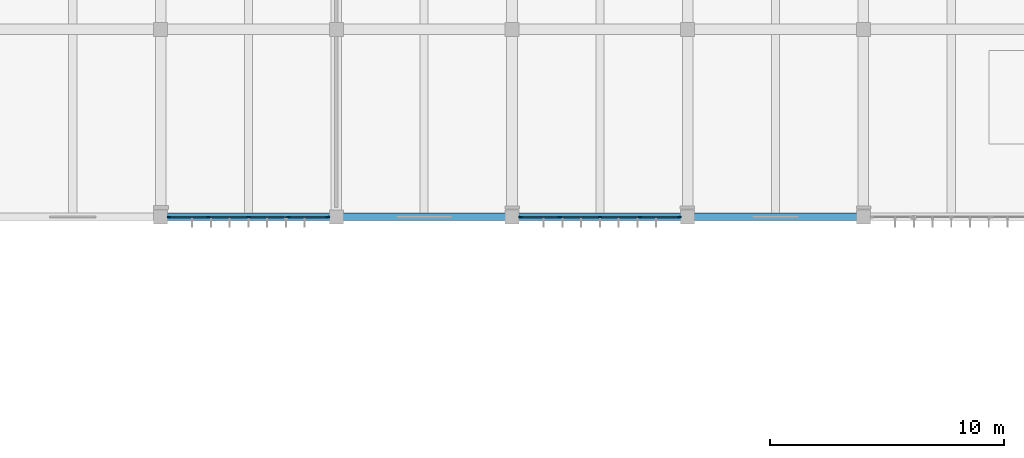
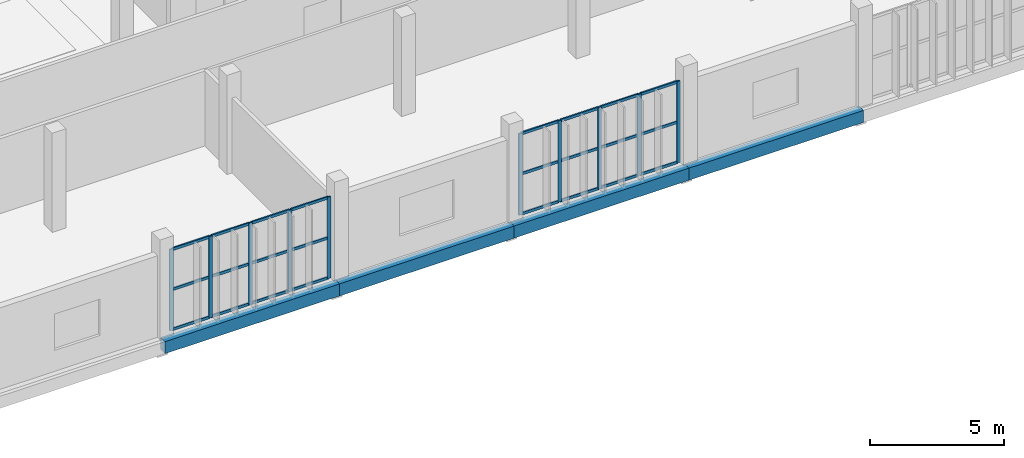
# One storey, part 19 of 81: 34 members, 4 beams, 2 elements without a shape of their own.
"""IFC4 building model written with IfcOpenShell, lengths in metres."""

from ifc_helpers import new_model, si_unit, direction, frame, origin, origin_2d, place, context, subcontext, project, spatial, rectangle, extrude, material, material_profile, profile_set, type_object, element, aggregate, save


model = new_model("IFC4")

# Units and contexts
model_context = context("Model", 3, precision=1e-05, world=origin(), true_north=direction((0.0, 1.0)))
body_context = subcontext(model_context, "Body", "Model", "MODEL_VIEW")
ifc_project = project(units=[si_unit("LENGTHUNIT", "METRE"), si_unit("AREAUNIT", "SQUARE_METRE"), si_unit("VOLUMEUNIT", "CUBIC_METRE"), si_unit("PLANEANGLEUNIT", "RADIAN"), si_unit("MASSUNIT", "GRAM", prefix="KILO")], contexts=[model_context])

# Site, building, storey
site_placement = place(None, origin())
site = spatial("IfcSite", under=ifc_project, at=site_placement, CompositionType="ELEMENT")
building_placement = place(site_placement, origin())
building = spatial("IfcBuilding", under=site, at=building_placement, Name="Vourika Railside Aquatics Centre", CompositionType="ELEMENT")
storey_placement = place(building_placement, frame((0.0, 0.0, 4.800048828125)))
storey = spatial("IfcBuildingStorey", under=building, at=storey_placement, Name="L01", CompositionType="ELEMENT", Elevation=4.800048828125)

# Beams
ifc_material_1 = material(Name="Concrete C35/45", Category="concrete")
ifc_material_profile_1 = material_profile(ifc_material_1, rectangle(XDim=0.320068359375, YDim=0.550048828125, at=origin_2d()), Name="RC 320x550")
ifc_profile_set_1 = profile_set([ifc_material_profile_1], Name="Concrete C35/45")
beam_type = type_object("IfcBeamType", Name="BM-SPAN-320x550", PredefinedType="SPANDREL", material=ifc_profile_set_1)
for number, where, z_axis, x_axis, name in (
    (1, (66.0, 92.0, -0.574951171875), (1.0, 0.0, 0.0), (0.0, 1.0, 0.0), "Floor Beam GX-L01-111"),
    (2, (73.5, 92.0, -0.574951171875), (1.0, 0.0, 0.0), (0.0, 1.0, 0.0), "Floor Beam GX-L01-112"),
    (3, (81.0, 92.0, -0.574951171875), (1.0, 0.0, 0.0), (0.0, 1.0, 0.0), "Floor Beam GX-L01-113"),
    (4, (88.5, 92.0, -0.574951171875), (1.0, 0.0, 0.0), (0.0, 1.0, 0.0), "Floor Beam GX-L01-114"),
):
    element("IfcBeam", number, at=place(storey_placement, frame(where, z_axis=z_axis, x_axis=x_axis)), inside=storey, type_object=beam_type, Name=name, PredefinedType="SPANDREL", context=body_context, shape_type="SweptSolid", body=[
        extrude(rectangle(XDim=0.320068359375, YDim=0.550048828125, at=origin_2d()), origin(), (0.0, 0.0, 1.0), 7.5),
    ])

# Curtain wall, members
ifc_material_2 = material(Name="Anodized thermally broken aluminium", Category="aluminium")
curtain_wall_type = type_object("IfcCurtainWallType", Name="CW-FIT1", PredefinedType="NOTDEFINED", material=ifc_material_2)
curtain_wall_1_placement = place(storey_placement, origin())
curtain_wall_1 = element("IfcCurtainWall", 5, at=curtain_wall_1_placement, inside=storey, type_object=curtain_wall_type, Name="Courtyard Fitness Curtain Wall L01-5", PredefinedType="NOTDEFINED")
ifc_material_3 = material(Name="Anodized aluminium mullion", Category="aluminium")
ifc_material_profile_2 = material_profile(ifc_material_3, rectangle(XDim=0.06201171875, YDim=0.156005859375, at=origin_2d()), Name="ALU-M 62x156")
ifc_profile_set_2 = profile_set([ifc_material_profile_2], Name="Anodized aluminium mullion")
member_type_1 = type_object("IfcMemberType", Name="CWM-FIT1", PredefinedType="MULLION", material=ifc_profile_set_2)
member_1_placement = place(storey_placement, frame((66.361083984375, 92.0, 0.0), z_axis=(0.0, 0.0, 1.0), x_axis=(0.0, 1.0, 0.0)))
member_1 = element("IfcMember", 6, at=member_1_placement, type_object=member_type_1, Name="CW15 mullion 1", PredefinedType="MULLION", context=body_context, shape_type="SweptSolid", body=[
    extrude(rectangle(XDim=0.06201171875, YDim=0.156005859375, at=origin_2d()), origin(), (0.0, 0.0, 1.0), 3.699951171875),
])
member_2_placement = place(storey_placement, frame((68.0400390625, 92.0, 0.0), z_axis=(0.0, 0.0, 1.0), x_axis=(0.0, 1.0, 0.0)))
member_2 = element("IfcMember", 7, at=member_2_placement, type_object=member_type_1, Name="CW15 mullion 2", PredefinedType="MULLION", context=body_context, shape_type="SweptSolid", body=[
    extrude(rectangle(XDim=0.06201171875, YDim=0.156005859375, at=origin_2d()), origin(), (0.0, 0.0, 1.0), 3.699951171875),
])
member_3_placement = place(storey_placement, frame((69.75, 92.0, 0.0), z_axis=(0.0, 0.0, 1.0), x_axis=(0.0, 1.0, 0.0)))
member_3 = element("IfcMember", 8, at=member_3_placement, type_object=member_type_1, Name="CW15 mullion 3", PredefinedType="MULLION", context=body_context, shape_type="SweptSolid", body=[
    extrude(rectangle(XDim=0.06201171875, YDim=0.156005859375, at=origin_2d()), origin(), (0.0, 0.0, 1.0), 3.699951171875),
])
member_4_placement = place(storey_placement, frame((71.4599609375, 92.0, 0.0), z_axis=(0.0, 0.0, 1.0), x_axis=(0.0, 1.0, 0.0)))
member_4 = element("IfcMember", 9, at=member_4_placement, type_object=member_type_1, Name="CW15 mullion 4", PredefinedType="MULLION", context=body_context, shape_type="SweptSolid", body=[
    extrude(rectangle(XDim=0.06201171875, YDim=0.156005859375, at=origin_2d()), origin(), (0.0, 0.0, 1.0), 3.699951171875),
])
member_5_placement = place(storey_placement, frame((73.138916015625, 92.0, 0.0), z_axis=(0.0, 0.0, 1.0), x_axis=(0.0, 1.0, 0.0)))
member_5 = element("IfcMember", 10, at=member_5_placement, type_object=member_type_1, Name="CW15 mullion 5", PredefinedType="MULLION", context=body_context, shape_type="SweptSolid", body=[
    extrude(rectangle(XDim=0.06201171875, YDim=0.156005859375, at=origin_2d()), origin(), (0.0, 0.0, 1.0), 3.699951171875),
])

curtain_wall_2_placement = place(storey_placement, origin())
curtain_wall_2 = element("IfcCurtainWall", 11, at=curtain_wall_2_placement, inside=storey, type_object=curtain_wall_type, Name="Courtyard Fitness Curtain Wall L01-7", PredefinedType="NOTDEFINED")
member_6_placement = place(storey_placement, frame((81.361083984375, 92.0, 0.0), z_axis=(0.0, 0.0, 1.0), x_axis=(0.0, 1.0, 0.0)))
member_6 = element("IfcMember", 12, at=member_6_placement, type_object=member_type_1, Name="CW15 mullion 1", PredefinedType="MULLION", context=body_context, shape_type="SweptSolid", body=[
    extrude(rectangle(XDim=0.06201171875, YDim=0.156005859375, at=origin_2d()), origin(), (0.0, 0.0, 1.0), 3.699951171875),
])
member_7_placement = place(storey_placement, frame((83.0400390625, 92.0, 0.0), z_axis=(0.0, 0.0, 1.0), x_axis=(0.0, 1.0, 0.0)))
member_7 = element("IfcMember", 13, at=member_7_placement, type_object=member_type_1, Name="CW15 mullion 2", PredefinedType="MULLION", context=body_context, shape_type="SweptSolid", body=[
    extrude(rectangle(XDim=0.06201171875, YDim=0.156005859375, at=origin_2d()), origin(), (0.0, 0.0, 1.0), 3.699951171875),
])
member_8_placement = place(storey_placement, frame((84.75, 92.0, 0.0), z_axis=(0.0, 0.0, 1.0), x_axis=(0.0, 1.0, 0.0)))
member_8 = element("IfcMember", 14, at=member_8_placement, type_object=member_type_1, Name="CW15 mullion 3", PredefinedType="MULLION", context=body_context, shape_type="SweptSolid", body=[
    extrude(rectangle(XDim=0.06201171875, YDim=0.156005859375, at=origin_2d()), origin(), (0.0, 0.0, 1.0), 3.699951171875),
])
member_9_placement = place(storey_placement, frame((86.4599609375, 92.0, 0.0), z_axis=(0.0, 0.0, 1.0), x_axis=(0.0, 1.0, 0.0)))
member_9 = element("IfcMember", 15, at=member_9_placement, type_object=member_type_1, Name="CW15 mullion 4", PredefinedType="MULLION", context=body_context, shape_type="SweptSolid", body=[
    extrude(rectangle(XDim=0.06201171875, YDim=0.156005859375, at=origin_2d()), origin(), (0.0, 0.0, 1.0), 3.699951171875),
])
member_10_placement = place(storey_placement, frame((88.138916015625, 92.0, 0.0), z_axis=(0.0, 0.0, 1.0), x_axis=(0.0, 1.0, 0.0)))
member_10 = element("IfcMember", 16, at=member_10_placement, type_object=member_type_1, Name="CW15 mullion 5", PredefinedType="MULLION", context=body_context, shape_type="SweptSolid", body=[
    extrude(rectangle(XDim=0.06201171875, YDim=0.156005859375, at=origin_2d()), origin(), (0.0, 0.0, 1.0), 3.699951171875),
])

# Member
ifc_material_4 = material(Name="Anodized aluminium transom", Category="aluminium")
ifc_material_profile_3 = material_profile(ifc_material_4, rectangle(XDim=0.06201171875, YDim=0.1220703125, at=origin_2d()), Name="ALU-T 62x122")
ifc_profile_set_3 = profile_set([ifc_material_profile_3], Name="Anodized aluminium transom")
member_type_2 = type_object("IfcMemberType", Name="CWT-FIT1", PredefinedType="USERDEFINED", material=ifc_profile_set_3)
member_11_placement = place(storey_placement, frame((66.39208984375, 92.0, 0.031005859375), z_axis=(1.0, 0.0, 0.0), x_axis=(0.0, 1.0, 0.0)))
member_11 = element("IfcMember", 17, at=member_11_placement, type_object=member_type_2, Name="CW15 transom 1.1", ObjectType="TRANSOM", PredefinedType="USERDEFINED", context=body_context, shape_type="SweptSolid", body=[
    extrude(rectangle(XDim=0.06201171875, YDim=0.1220703125, at=origin_2d()), origin(), (0.0, 0.0, 1.0), 1.616943359375),
])

member_12_placement = place(storey_placement, frame((66.39208984375, 92.0, 1.849853515625), z_axis=(1.0, 0.0, 0.0), x_axis=(0.0, 1.0, 0.0)))
member_12 = element("IfcMember", 18, at=member_12_placement, type_object=member_type_2, Name="CW15 transom 1.2", ObjectType="TRANSOM", PredefinedType="USERDEFINED", context=body_context, shape_type="SweptSolid", body=[
    extrude(rectangle(XDim=0.06201171875, YDim=0.1220703125, at=origin_2d()), origin(), (0.0, 0.0, 1.0), 1.616943359375),
])

member_13_placement = place(storey_placement, frame((66.39208984375, 92.0, 3.6689453125), z_axis=(1.0, 0.0, 0.0), x_axis=(0.0, 1.0, 0.0)))
member_13 = element("IfcMember", 19, at=member_13_placement, type_object=member_type_2, Name="CW15 transom 1.3", ObjectType="TRANSOM", PredefinedType="USERDEFINED", context=body_context, shape_type="SweptSolid", body=[
    extrude(rectangle(XDim=0.06201171875, YDim=0.1220703125, at=origin_2d()), origin(), (0.0, 0.0, 1.0), 1.616943359375),
])

member_14_placement = place(storey_placement, frame((68.071044921875, 92.0, 0.031005859375), z_axis=(1.0, 0.0, 0.0), x_axis=(0.0, 1.0, 0.0)))
member_14 = element("IfcMember", 20, at=member_14_placement, type_object=member_type_2, Name="CW15 transom 2.1", ObjectType="TRANSOM", PredefinedType="USERDEFINED", context=body_context, shape_type="SweptSolid", body=[
    extrude(rectangle(XDim=0.06201171875, YDim=0.1220703125, at=origin_2d()), origin(), (0.0, 0.0, 1.0), 1.64794921875),
])

member_15_placement = place(storey_placement, frame((68.071044921875, 92.0, 1.849853515625), z_axis=(1.0, 0.0, 0.0), x_axis=(0.0, 1.0, 0.0)))
member_15 = element("IfcMember", 21, at=member_15_placement, type_object=member_type_2, Name="CW15 transom 2.2", ObjectType="TRANSOM", PredefinedType="USERDEFINED", context=body_context, shape_type="SweptSolid", body=[
    extrude(rectangle(XDim=0.06201171875, YDim=0.1220703125, at=origin_2d()), origin(), (0.0, 0.0, 1.0), 1.64794921875),
])

member_16_placement = place(storey_placement, frame((68.071044921875, 92.0, 3.6689453125), z_axis=(1.0, 0.0, 0.0), x_axis=(0.0, 1.0, 0.0)))
member_16 = element("IfcMember", 22, at=member_16_placement, type_object=member_type_2, Name="CW15 transom 2.3", ObjectType="TRANSOM", PredefinedType="USERDEFINED", context=body_context, shape_type="SweptSolid", body=[
    extrude(rectangle(XDim=0.06201171875, YDim=0.1220703125, at=origin_2d()), origin(), (0.0, 0.0, 1.0), 1.64794921875),
])

member_17_placement = place(storey_placement, frame((69.781005859375, 92.0, 0.031005859375), z_axis=(1.0, 0.0, 0.0), x_axis=(0.0, 1.0, 0.0)))
member_17 = element("IfcMember", 23, at=member_17_placement, type_object=member_type_2, Name="CW15 transom 3.1", ObjectType="TRANSOM", PredefinedType="USERDEFINED", context=body_context, shape_type="SweptSolid", body=[
    extrude(rectangle(XDim=0.06201171875, YDim=0.1220703125, at=origin_2d()), origin(), (0.0, 0.0, 1.0), 1.64794921875),
])

member_18_placement = place(storey_placement, frame((69.781005859375, 92.0, 1.849853515625), z_axis=(1.0, 0.0, 0.0), x_axis=(0.0, 1.0, 0.0)))
member_18 = element("IfcMember", 24, at=member_18_placement, type_object=member_type_2, Name="CW15 transom 3.2", ObjectType="TRANSOM", PredefinedType="USERDEFINED", context=body_context, shape_type="SweptSolid", body=[
    extrude(rectangle(XDim=0.06201171875, YDim=0.1220703125, at=origin_2d()), origin(), (0.0, 0.0, 1.0), 1.64794921875),
])

member_19_placement = place(storey_placement, frame((69.781005859375, 92.0, 3.6689453125), z_axis=(1.0, 0.0, 0.0), x_axis=(0.0, 1.0, 0.0)))
member_19 = element("IfcMember", 25, at=member_19_placement, type_object=member_type_2, Name="CW15 transom 3.3", ObjectType="TRANSOM", PredefinedType="USERDEFINED", context=body_context, shape_type="SweptSolid", body=[
    extrude(rectangle(XDim=0.06201171875, YDim=0.1220703125, at=origin_2d()), origin(), (0.0, 0.0, 1.0), 1.64794921875),
])

member_20_placement = place(storey_placement, frame((71.490966796875, 92.0, 0.031005859375), z_axis=(1.0, 0.0, 0.0), x_axis=(0.0, 1.0, 0.0)))
member_20 = element("IfcMember", 26, at=member_20_placement, type_object=member_type_2, Name="CW15 transom 4.1", ObjectType="TRANSOM", PredefinedType="USERDEFINED", context=body_context, shape_type="SweptSolid", body=[
    extrude(rectangle(XDim=0.06201171875, YDim=0.1220703125, at=origin_2d()), origin(), (0.0, 0.0, 1.0), 1.616943359375),
])

member_21_placement = place(storey_placement, frame((71.490966796875, 92.0, 1.849853515625), z_axis=(1.0, 0.0, 0.0), x_axis=(0.0, 1.0, 0.0)))
member_21 = element("IfcMember", 27, at=member_21_placement, type_object=member_type_2, Name="CW15 transom 4.2", ObjectType="TRANSOM", PredefinedType="USERDEFINED", context=body_context, shape_type="SweptSolid", body=[
    extrude(rectangle(XDim=0.06201171875, YDim=0.1220703125, at=origin_2d()), origin(), (0.0, 0.0, 1.0), 1.616943359375),
])

member_22_placement = place(storey_placement, frame((71.490966796875, 92.0, 3.6689453125), z_axis=(1.0, 0.0, 0.0), x_axis=(0.0, 1.0, 0.0)))
member_22 = element("IfcMember", 28, at=member_22_placement, type_object=member_type_2, Name="CW15 transom 4.3", ObjectType="TRANSOM", PredefinedType="USERDEFINED", context=body_context, shape_type="SweptSolid", body=[
    extrude(rectangle(XDim=0.06201171875, YDim=0.1220703125, at=origin_2d()), origin(), (0.0, 0.0, 1.0), 1.616943359375),
])

aggregate(curtain_wall_1, [member_1, member_2, member_3, member_4, member_5, member_11, member_12, member_13, member_14, member_15, member_16, member_17, member_18, member_19, member_20, member_21, member_22])

member_23_placement = place(storey_placement, frame((81.39208984375, 92.0, 0.031005859375), z_axis=(1.0, 0.0, 0.0), x_axis=(0.0, 1.0, 0.0)))
member_23 = element("IfcMember", 29, at=member_23_placement, type_object=member_type_2, Name="CW15 transom 1.1", ObjectType="TRANSOM", PredefinedType="USERDEFINED", context=body_context, shape_type="SweptSolid", body=[
    extrude(rectangle(XDim=0.06201171875, YDim=0.1220703125, at=origin_2d()), origin(), (0.0, 0.0, 1.0), 1.616943359375),
])

member_24_placement = place(storey_placement, frame((81.39208984375, 92.0, 1.849853515625), z_axis=(1.0, 0.0, 0.0), x_axis=(0.0, 1.0, 0.0)))
member_24 = element("IfcMember", 30, at=member_24_placement, type_object=member_type_2, Name="CW15 transom 1.2", ObjectType="TRANSOM", PredefinedType="USERDEFINED", context=body_context, shape_type="SweptSolid", body=[
    extrude(rectangle(XDim=0.06201171875, YDim=0.1220703125, at=origin_2d()), origin(), (0.0, 0.0, 1.0), 1.616943359375),
])

member_25_placement = place(storey_placement, frame((81.39208984375, 92.0, 3.6689453125), z_axis=(1.0, 0.0, 0.0), x_axis=(0.0, 1.0, 0.0)))
member_25 = element("IfcMember", 31, at=member_25_placement, type_object=member_type_2, Name="CW15 transom 1.3", ObjectType="TRANSOM", PredefinedType="USERDEFINED", context=body_context, shape_type="SweptSolid", body=[
    extrude(rectangle(XDim=0.06201171875, YDim=0.1220703125, at=origin_2d()), origin(), (0.0, 0.0, 1.0), 1.616943359375),
])

member_26_placement = place(storey_placement, frame((83.071044921875, 92.0, 0.031005859375), z_axis=(1.0, 0.0, 0.0), x_axis=(0.0, 1.0, 0.0)))
member_26 = element("IfcMember", 32, at=member_26_placement, type_object=member_type_2, Name="CW15 transom 2.1", ObjectType="TRANSOM", PredefinedType="USERDEFINED", context=body_context, shape_type="SweptSolid", body=[
    extrude(rectangle(XDim=0.06201171875, YDim=0.1220703125, at=origin_2d()), origin(), (0.0, 0.0, 1.0), 1.64794921875),
])

member_27_placement = place(storey_placement, frame((83.071044921875, 92.0, 1.849853515625), z_axis=(1.0, 0.0, 0.0), x_axis=(0.0, 1.0, 0.0)))
member_27 = element("IfcMember", 33, at=member_27_placement, type_object=member_type_2, Name="CW15 transom 2.2", ObjectType="TRANSOM", PredefinedType="USERDEFINED", context=body_context, shape_type="SweptSolid", body=[
    extrude(rectangle(XDim=0.06201171875, YDim=0.1220703125, at=origin_2d()), origin(), (0.0, 0.0, 1.0), 1.64794921875),
])

member_28_placement = place(storey_placement, frame((83.071044921875, 92.0, 3.6689453125), z_axis=(1.0, 0.0, 0.0), x_axis=(0.0, 1.0, 0.0)))
member_28 = element("IfcMember", 34, at=member_28_placement, type_object=member_type_2, Name="CW15 transom 2.3", ObjectType="TRANSOM", PredefinedType="USERDEFINED", context=body_context, shape_type="SweptSolid", body=[
    extrude(rectangle(XDim=0.06201171875, YDim=0.1220703125, at=origin_2d()), origin(), (0.0, 0.0, 1.0), 1.64794921875),
])

member_29_placement = place(storey_placement, frame((84.781005859375, 92.0, 0.031005859375), z_axis=(1.0, 0.0, 0.0), x_axis=(0.0, 1.0, 0.0)))
member_29 = element("IfcMember", 35, at=member_29_placement, type_object=member_type_2, Name="CW15 transom 3.1", ObjectType="TRANSOM", PredefinedType="USERDEFINED", context=body_context, shape_type="SweptSolid", body=[
    extrude(rectangle(XDim=0.06201171875, YDim=0.1220703125, at=origin_2d()), origin(), (0.0, 0.0, 1.0), 1.64794921875),
])

member_30_placement = place(storey_placement, frame((84.781005859375, 92.0, 1.849853515625), z_axis=(1.0, 0.0, 0.0), x_axis=(0.0, 1.0, 0.0)))
member_30 = element("IfcMember", 36, at=member_30_placement, type_object=member_type_2, Name="CW15 transom 3.2", ObjectType="TRANSOM", PredefinedType="USERDEFINED", context=body_context, shape_type="SweptSolid", body=[
    extrude(rectangle(XDim=0.06201171875, YDim=0.1220703125, at=origin_2d()), origin(), (0.0, 0.0, 1.0), 1.64794921875),
])

member_31_placement = place(storey_placement, frame((84.781005859375, 92.0, 3.6689453125), z_axis=(1.0, 0.0, 0.0), x_axis=(0.0, 1.0, 0.0)))
member_31 = element("IfcMember", 37, at=member_31_placement, type_object=member_type_2, Name="CW15 transom 3.3", ObjectType="TRANSOM", PredefinedType="USERDEFINED", context=body_context, shape_type="SweptSolid", body=[
    extrude(rectangle(XDim=0.06201171875, YDim=0.1220703125, at=origin_2d()), origin(), (0.0, 0.0, 1.0), 1.64794921875),
])

member_32_placement = place(storey_placement, frame((86.490966796875, 92.0, 0.031005859375), z_axis=(1.0, 0.0, 0.0), x_axis=(0.0, 1.0, 0.0)))
member_32 = element("IfcMember", 38, at=member_32_placement, type_object=member_type_2, Name="CW15 transom 4.1", ObjectType="TRANSOM", PredefinedType="USERDEFINED", context=body_context, shape_type="SweptSolid", body=[
    extrude(rectangle(XDim=0.06201171875, YDim=0.1220703125, at=origin_2d()), origin(), (0.0, 0.0, 1.0), 1.616943359375),
])

member_33_placement = place(storey_placement, frame((86.490966796875, 92.0, 1.849853515625), z_axis=(1.0, 0.0, 0.0), x_axis=(0.0, 1.0, 0.0)))
member_33 = element("IfcMember", 39, at=member_33_placement, type_object=member_type_2, Name="CW15 transom 4.2", ObjectType="TRANSOM", PredefinedType="USERDEFINED", context=body_context, shape_type="SweptSolid", body=[
    extrude(rectangle(XDim=0.06201171875, YDim=0.1220703125, at=origin_2d()), origin(), (0.0, 0.0, 1.0), 1.616943359375),
])

member_34_placement = place(storey_placement, frame((86.490966796875, 92.0, 3.6689453125), z_axis=(1.0, 0.0, 0.0), x_axis=(0.0, 1.0, 0.0)))
member_34 = element("IfcMember", 40, at=member_34_placement, type_object=member_type_2, Name="CW15 transom 4.3", ObjectType="TRANSOM", PredefinedType="USERDEFINED", context=body_context, shape_type="SweptSolid", body=[
    extrude(rectangle(XDim=0.06201171875, YDim=0.1220703125, at=origin_2d()), origin(), (0.0, 0.0, 1.0), 1.616943359375),
])

aggregate(curtain_wall_2, [member_6, member_7, member_8, member_9, member_10, member_23, member_24, member_25, member_26, member_27, member_28, member_29, member_30, member_31, member_32, member_33, member_34])

save(model, "model.ifc")
